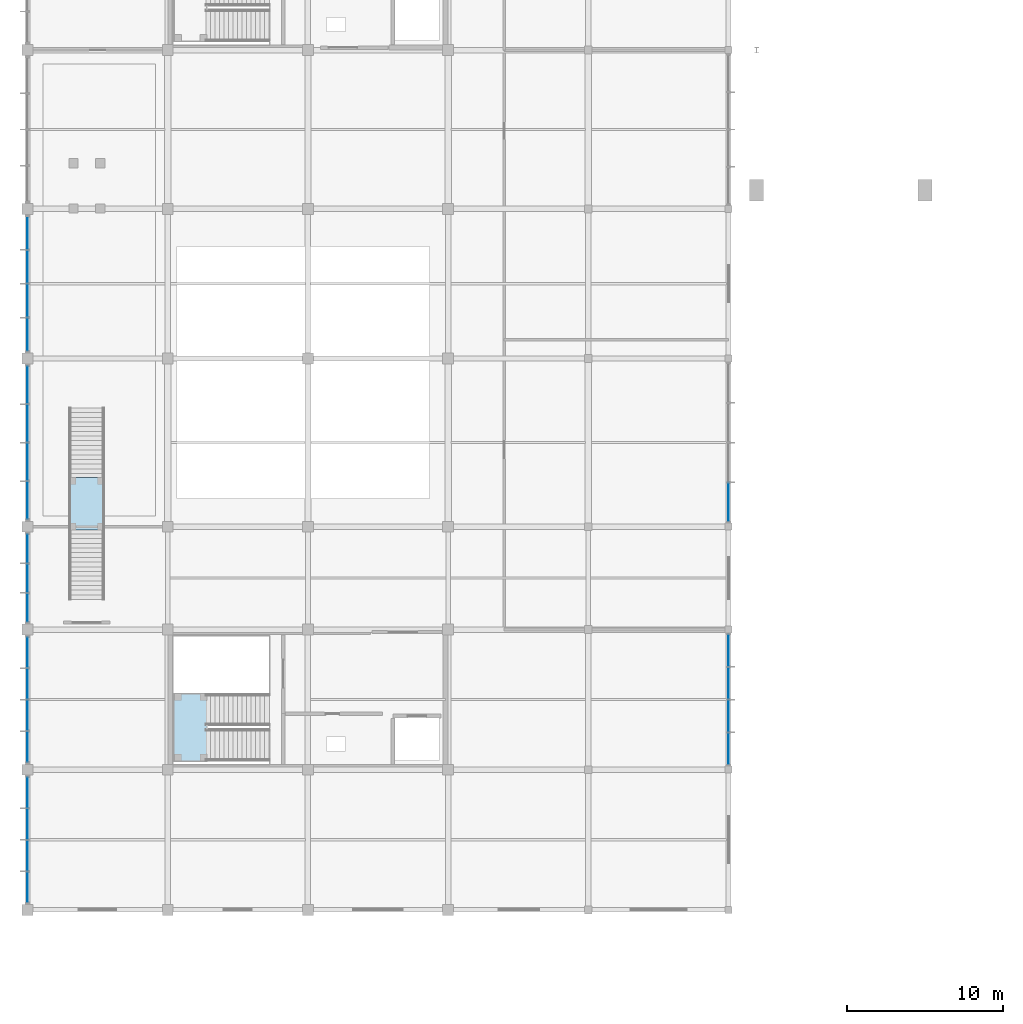
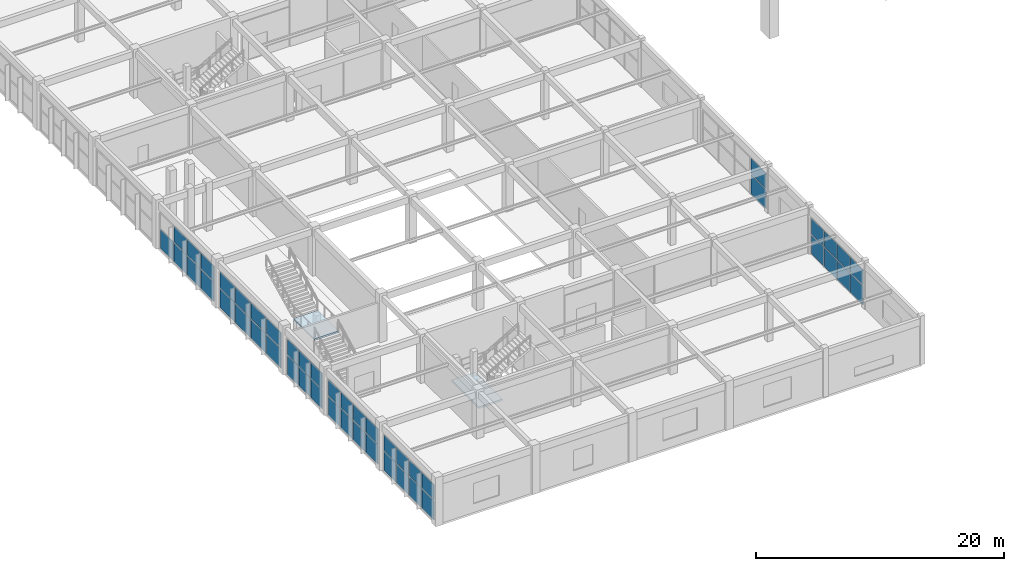
# One storey, part 38 of 74: 47 plates, 2 slabs, 9 elements without a shape of their own.
"""IFC4 building model written with IfcOpenShell, lengths in metres."""

import ifcopenshell
import ifcopenshell.guid

model = None  # the IFC model being written
_history = None  # IfcOwnerHistory: only IFC2X3 demands one
_inside = {}  # id of a spatial element -> (the spatial element, [elements in it])
_under = {}  # id of a project, library or spatial element -> (it, [spatial elements below it])
_declared = {}  # id of a project -> (the project, [libraries it declares])
_typed = {}  # id of a type object -> (the type object, [elements of that type])
_made_of = {}  # id of a material, layer set ... -> (it, [elements and type objects made of it])


def new_model(schema):
    """Start an empty IFC model of exactly this schema.

    Asked for "IFC4X3", IfcOpenShell would pick the latest addendum, in which some entities
    have other attributes; the version numbers below select the first issue.
    IFC2X3 requires an IfcOwnerHistory on every rooted entity: one is made here for all.
    """
    global model, _history
    if schema == "IFC4X3":
        model = ifcopenshell.file(schema_version=(4, 3, 0, 0))
    else:
        model = ifcopenshell.file(schema=schema)
    _inside.clear()
    _under.clear()
    _declared.clear()
    _typed.clear()
    _made_of.clear()
    _history = None
    if model.schema == "IFC2X3":
        org = make("IfcOrganization", Name="unknown")
        user = make(
            "IfcPersonAndOrganization",
            ThePerson=make("IfcPerson", FamilyName="unknown"),
            TheOrganization=org,
        )
        app = make(
            "IfcApplication",
            ApplicationDeveloper=org,
            Version="unknown",
            ApplicationFullName="unknown",
            ApplicationIdentifier="unknown",
        )
        _history = make(
            "IfcOwnerHistory",
            OwningUser=user,
            OwningApplication=app,
            ChangeAction="ADDED",
            CreationDate=0,
        )
    return model


def make(cls, **values):
    """One entity of the class cls with the attributes given. An attribute that is None is left unset."""
    return model.create_entity(
        cls, **{name: value for name, value in values.items() if value is not None}
    )


def rooted(cls, **values):
    """An entity with a GlobalId (a new one), such as an element, a storey or a relation."""
    return make(cls, GlobalId=ifcopenshell.guid.new(), OwnerHistory=_history, **values)


def si_unit(unit_type, name, prefix=None):
    """IfcSIUnit, for example si_unit("LENGTHUNIT", "METRE", prefix="MILLI")."""
    return make("IfcSIUnit", UnitType=unit_type, Prefix=prefix, Name=name)


def assignment(units):
    """IfcUnitAssignment: the units of a project."""
    return None if units is None else make("IfcUnitAssignment", Units=units)


def point(xyz):
    """IfcCartesianPoint."""
    return None if xyz is None else make("IfcCartesianPoint", Coordinates=xyz)


def direction(xyz):
    """IfcDirection."""
    return None if xyz is None else make("IfcDirection", DirectionRatios=xyz)


def frame(location, z_axis=None, x_axis=None):
    """IfcAxis2Placement3D, a coordinate frame: its origin and axes. An axis left out is left unset."""
    return make(
        "IfcAxis2Placement3D",
        Location=point(location),
        Axis=direction(z_axis),
        RefDirection=direction(x_axis),
    )


def origin():
    """The frame at (0, 0, 0) with its axes left unset."""
    return frame((0.0, 0.0, 0.0))


def place(relative_to, where):
    """IfcLocalPlacement: puts the frame where relative to a parent placement (None: the world)."""
    return make(
        "IfcLocalPlacement", PlacementRelTo=relative_to, RelativePlacement=where
    )


def context(
    kind, dimensions, precision=None, world=None, true_north=None, identifier=None
):
    """IfcGeometricRepresentationContext, for example the 3D "Model" context."""
    return make(
        "IfcGeometricRepresentationContext",
        ContextIdentifier=identifier,
        ContextType=kind,
        CoordinateSpaceDimension=dimensions,
        Precision=precision,
        WorldCoordinateSystem=world,
        TrueNorth=true_north,
    )


def subcontext(parent, identifier, kind, view, scale=None):
    """IfcGeometricRepresentationSubContext, for example "Body" below "Model"."""
    return make(
        "IfcGeometricRepresentationSubContext",
        ContextIdentifier=identifier,
        ContextType=kind,
        ParentContext=parent,
        TargetScale=scale,
        TargetView=view,
    )


def project(units=None, contexts=None):
    """IfcProject with its units and contexts."""
    return rooted(
        "IfcProject",
        Name="project",
        RepresentationContexts=contexts,
        UnitsInContext=assignment(units),
    )


def spatial(cls, under=None, at=None, **own):
    """A site, building, storey or space (cls), placed at a placement, below another one or the project."""
    s = rooted(cls, ObjectPlacement=at, **own)
    if under is not None:
        _under.setdefault(under.id(), (under, []))[1].append(s)
    return s


def polyline(points):
    """IfcPolyline through the points."""
    return make("IfcPolyline", Points=[point(p) for p in points])


def outline(outer, holes=None, kind="AREA"):
    """IfcArbitraryClosedProfileDef: a profile drawn as a closed curve; with holes, ...WithVoids."""
    if holes is None:
        return make("IfcArbitraryClosedProfileDef", ProfileType=kind, OuterCurve=outer)
    return make(
        "IfcArbitraryProfileDefWithVoids",
        ProfileType=kind,
        OuterCurve=outer,
        InnerCurves=holes,
    )


def extrude(swept, where, along, depth):
    """IfcExtrudedAreaSolid: the profile swept, set in the frame where, extruded along a direction by depth."""
    return make(
        "IfcExtrudedAreaSolid",
        SweptArea=swept,
        Position=where,
        ExtrudedDirection=direction(along),
        Depth=depth,
    )


def shape(context_of_items, identifier, shape_type, items):
    """IfcShapeRepresentation: the items that make up one representation, for example the "Body"."""
    return make(
        "IfcShapeRepresentation",
        ContextOfItems=context_of_items,
        RepresentationIdentifier=identifier,
        RepresentationType=shape_type,
        Items=items,
    )


def material(Name=None, Category=None):
    """IfcMaterial."""
    return make("IfcMaterial", Name=Name, Category=Category)


def layer(
    of_material, thickness, ventilated=None, Name=None, Category=None, Priority=None
):
    """IfcMaterialLayer: one layer of a wall or slab, of a material (None: an air gap)."""
    return make(
        "IfcMaterialLayer",
        Material=of_material,
        LayerThickness=thickness,
        IsVentilated=ventilated,
        Name=Name,
        Category=Category,
        Priority=Priority,
    )


def layer_set(layers, Name=None):
    """IfcMaterialLayerSet."""
    return make("IfcMaterialLayerSet", MaterialLayers=layers, LayerSetName=Name)


def made_of(thing, what):
    """Note that an element or type object is made of a material, layer set ...; save() writes the relation."""
    if what is not None:
        _made_of.setdefault(what.id(), (what, []))[1].append(thing)
    return thing


def type_object(cls, material=None, **own):
    """A type object (cls), such as IfcWallType, which elements share."""
    return made_of(rooted(cls, **own), material)


def element(
    cls,
    number,
    at=None,
    inside=None,
    cuts=None,
    type_object=None,
    material=None,
    context=None,
    identifier="Body",
    shape_type=None,
    held_by="IfcProductDefinitionShape",
    body=None,
    shapes=None,
    **own,
):
    """One element of the class cls, such as IfcWall. Its Tag is "e" and its number.

    at: its placement. inside: the storey or other place that contains it. cuts: it is an
    opening in that element (IfcRelVoidsElement). A single representation is given by context,
    identifier, shape_type and body (its items); several are given by shapes. held_by: the class
    of the entity that holds the representations. save() writes the other relations.
    """
    e = rooted(cls, Tag="e%d" % number, ObjectPlacement=at, **own)
    if body is not None:
        shapes = [shape(context, identifier, shape_type, body)]
    if shapes is not None:
        e.Representation = make(held_by, Representations=shapes)
    if inside is not None:
        _inside.setdefault(inside.id(), (inside, []))[1].append(e)
    if cuts is not None:
        rooted(
            "IfcRelVoidsElement", RelatingBuildingElement=cuts, RelatedOpeningElement=e
        )
    if type_object is not None:
        _typed.setdefault(type_object.id(), (type_object, []))[1].append(e)
    return made_of(e, material)


def aggregate(whole, parts):
    """IfcRelAggregates: a whole, such as a stair, and the parts it consists of."""
    return rooted("IfcRelAggregates", RelatingObject=whole, RelatedObjects=parts)


def save(model, path):
    """Write the relations noted so far, then the file.

    IfcRelAggregates (storeys below a building ...), IfcRelContainedInSpatialStructure (elements
    in a storey), IfcRelDefinesByType, IfcRelAssociatesMaterial and IfcRelDeclares: one each for
    every whole, place, type object, material and project.
    """
    for whole, parts in _under.values():
        aggregate(whole, parts)
    for where, things in _inside.values():
        rooted(
            "IfcRelContainedInSpatialStructure",
            RelatedElements=things,
            RelatingStructure=where,
        )
    for kind, things in _typed.values():
        rooted("IfcRelDefinesByType", RelatedObjects=things, RelatingType=kind)
    for what, things in _made_of.values():
        rooted("IfcRelAssociatesMaterial", RelatedObjects=things, RelatingMaterial=what)
    for by, libraries in _declared.values():
        rooted("IfcRelDeclares", RelatingContext=by, RelatedDefinitions=libraries)
    model.write(path)


model = new_model("IFC4")

# Units and contexts
model_context = context("Model", 3, precision=1e-05, world=origin(), true_north=direction((0.0, 1.0)))
body_context = subcontext(model_context, "Body", "Model", "MODEL_VIEW")
ifc_project = project(units=[si_unit("LENGTHUNIT", "METRE"), si_unit("AREAUNIT", "SQUARE_METRE"), si_unit("VOLUMEUNIT", "CUBIC_METRE"), si_unit("PLANEANGLEUNIT", "RADIAN"), si_unit("MASSUNIT", "GRAM", prefix="KILO")], contexts=[model_context])

# Site, building, storey
site_placement = place(None, origin())
site = spatial("IfcSite", under=ifc_project, at=site_placement, CompositionType="ELEMENT")
building_placement = place(site_placement, origin())
building = spatial("IfcBuilding", under=site, at=building_placement, Name="Suirenkawa Promenade Aquatics Centre", CompositionType="ELEMENT")
storey_placement = place(building_placement, frame((0.0, 0.0, 4.800048828125)))
storey = spatial("IfcBuildingStorey", under=building, at=storey_placement, Name="L01", CompositionType="ELEMENT", Elevation=4.800048828125)

# Curtain wall, plates
ifc_material_1 = material(Name="Anodised aluminium 6063-T6", Category="aluminium")
curtain_wall_type_1 = type_object("IfcCurtainWallType", Name="CWAT-V5EL01-50", PredefinedType="NOTDEFINED", material=ifc_material_1)
curtain_wall_1_placement = place(storey_placement, origin())
curtain_wall_1 = element("IfcCurtainWall", 1, at=curtain_wall_1_placement, inside=storey, type_object=curtain_wall_type_1, Name="Curtain wall CWA-50 CW-097", PredefinedType="NOTDEFINED")
ifc_material_2 = material(Name="Low-E thermally broken double glazing", Category="glass")
ifc_layer_1 = layer(ifc_material_2, 0.028076171875, Name="Low-E thermally broken double glazing", Category="glass")
ifc_layer_set_1 = layer_set([ifc_layer_1], Name="Low-E thermally broken double glazing")
plate_type_1 = type_object("IfcPlateType", Name="CWP-LOWE-28", PredefinedType="CURTAIN_PANEL", material=ifc_layer_set_1)
plate_1_placement = place(storey_placement, frame((45.0, 21.90087890625, 0.0400390625), z_axis=(0.0, 0.0, 1.0), x_axis=(0.0, -1.0, 0.0)))
plate_1 = element("IfcPlate", 2, at=plate_1_placement, type_object=plate_type_1, Name="Glazed panel CP-02 CWP-01942", PredefinedType="CURTAIN_PANEL", context=body_context, shape_type="SweptSolid", body=[
    extrude(outline(polyline([(0.0400390625, 0.0), (2.060546875, 0.0), (2.060546875, 1.869873046875), (0.0400390625, 1.869873046875), (0.0400390625, 0.0)])), frame((0.0, 0.01416015625, 0.0), z_axis=(0.0, -1.0, 0.0), x_axis=(1.0, 0.0, 0.0)), (0.0, 0.0, 1.0), 0.028076171875),
])
plate_2_placement = place(storey_placement, frame((45.0, 21.90087890625, 1.989990234375), z_axis=(0.0, 0.0, 1.0), x_axis=(0.0, -1.0, 0.0)))
plate_2 = element("IfcPlate", 3, at=plate_2_placement, type_object=plate_type_1, Name="Top glazed panel CP-02 CWP-01943", PredefinedType="CURTAIN_PANEL", context=body_context, shape_type="SweptSolid", body=[
    extrude(outline(polyline([(0.0400390625, 0.0), (2.060546875, 0.0), (2.060546875, 1.5400390625), (0.0400390625, 1.5400390625), (0.0400390625, 0.0)])), frame((0.0, 0.01416015625, 0.0), z_axis=(0.0, -1.0, 0.0), x_axis=(1.0, 0.0, 0.0)), (0.0, 0.0, 1.0), 0.028076171875),
])
plate_3_placement = place(storey_placement, frame((45.0, 19.800537109375, 0.0400390625), z_axis=(0.0, 0.0, 1.0), x_axis=(0.0, -1.0, 0.0)))
plate_3 = element("IfcPlate", 4, at=plate_3_placement, type_object=plate_type_1, Name="Glazed panel CP-02 CWP-01944", PredefinedType="CURTAIN_PANEL", context=body_context, shape_type="SweptSolid", body=[
    extrude(outline(polyline([(0.0400390625, 0.0), (2.060546875, 0.0), (2.060546875, 1.869873046875), (0.0400390625, 1.869873046875), (0.0400390625, 0.0)])), frame((0.0, 0.01416015625, 0.0), z_axis=(0.0, -1.0, 0.0), x_axis=(1.0, 0.0, 0.0)), (0.0, 0.0, 1.0), 0.028076171875),
])
plate_4_placement = place(storey_placement, frame((45.0, 19.800537109375, 1.989990234375), z_axis=(0.0, 0.0, 1.0), x_axis=(0.0, -1.0, 0.0)))
plate_4 = element("IfcPlate", 5, at=plate_4_placement, type_object=plate_type_1, Name="Top glazed panel CP-02 CWP-01945", PredefinedType="CURTAIN_PANEL", context=body_context, shape_type="SweptSolid", body=[
    extrude(outline(polyline([(0.0400390625, 0.0), (2.060546875, 0.0), (2.060546875, 1.5400390625), (0.0400390625, 1.5400390625), (0.0400390625, 0.0)])), frame((0.0, 0.01416015625, 0.0), z_axis=(0.0, -1.0, 0.0), x_axis=(1.0, 0.0, 0.0)), (0.0, 0.0, 1.0), 0.028076171875),
])
plate_5_placement = place(storey_placement, frame((45.0, 17.699951171875, 0.0400390625), z_axis=(0.0, 0.0, 1.0), x_axis=(0.0, -1.0, 0.0)))
plate_5 = element("IfcPlate", 6, at=plate_5_placement, type_object=plate_type_1, Name="Glazed panel CP-02 CWP-01946", PredefinedType="CURTAIN_PANEL", context=body_context, shape_type="SweptSolid", body=[
    extrude(outline(polyline([(0.0400390625, 0.0), (2.060546875, 0.0), (2.060546875, 1.869873046875), (0.0400390625, 1.869873046875), (0.0400390625, 0.0)])), frame((0.0, 0.01416015625, 0.0), z_axis=(0.0, -1.0, 0.0), x_axis=(1.0, 0.0, 0.0)), (0.0, 0.0, 1.0), 0.028076171875),
])
plate_6_placement = place(storey_placement, frame((45.0, 17.699951171875, 1.989990234375), z_axis=(0.0, 0.0, 1.0), x_axis=(0.0, -1.0, 0.0)))
plate_6 = element("IfcPlate", 7, at=plate_6_placement, type_object=plate_type_1, Name="Top glazed panel CP-02 CWP-01947", PredefinedType="CURTAIN_PANEL", context=body_context, shape_type="SweptSolid", body=[
    extrude(outline(polyline([(0.0400390625, 0.0), (2.060546875, 0.0), (2.060546875, 1.5400390625), (0.0400390625, 1.5400390625), (0.0400390625, 0.0)])), frame((0.0, 0.01416015625, 0.0), z_axis=(0.0, -1.0, 0.0), x_axis=(1.0, 0.0, 0.0)), (0.0, 0.0, 1.0), 0.028076171875),
])
plate_7_placement = place(storey_placement, frame((45.0, 15.599609375, 0.0400390625), z_axis=(0.0, 0.0, 1.0), x_axis=(0.0, -1.0, 0.0)))
plate_7 = element("IfcPlate", 8, at=plate_7_placement, type_object=plate_type_1, Name="Glazed panel CP-02 CWP-01948", PredefinedType="CURTAIN_PANEL", context=body_context, shape_type="SweptSolid", body=[
    extrude(outline(polyline([(0.0400390625, 0.0), (2.060546875, 0.0), (2.060546875, 1.869873046875), (0.0400390625, 1.869873046875), (0.0400390625, 0.0)])), frame((0.0, 0.01416015625, 0.0), z_axis=(0.0, -1.0, 0.0), x_axis=(1.0, 0.0, 0.0)), (0.0, 0.0, 1.0), 0.028076171875),
])
plate_8_placement = place(storey_placement, frame((45.0, 15.599609375, 1.989990234375), z_axis=(0.0, 0.0, 1.0), x_axis=(0.0, -1.0, 0.0)))
plate_8 = element("IfcPlate", 9, at=plate_8_placement, type_object=plate_type_1, Name="Top glazed panel CP-02 CWP-01949", PredefinedType="CURTAIN_PANEL", context=body_context, shape_type="SweptSolid", body=[
    extrude(outline(polyline([(0.0400390625, 0.0), (2.060546875, 0.0), (2.060546875, 1.5400390625), (0.0400390625, 1.5400390625), (0.0400390625, 0.0)])), frame((0.0, 0.01416015625, 0.0), z_axis=(0.0, -1.0, 0.0), x_axis=(1.0, 0.0, 0.0)), (0.0, 0.0, 1.0), 0.028076171875),
])
aggregate(curtain_wall_1, [plate_1, plate_2, plate_3, plate_4, plate_5, plate_6, plate_7, plate_8])

curtain_wall_type_2 = type_object("IfcCurtainWallType", Name="CWAT-V5EL01-53", PredefinedType="NOTDEFINED", material=ifc_material_1)
curtain_wall_2_placement = place(storey_placement, origin())
curtain_wall_2 = element("IfcCurtainWall", 10, at=curtain_wall_2_placement, inside=storey, type_object=curtain_wall_type_2, Name="Curtain wall CWA-53 CW-100", PredefinedType="NOTDEFINED")
plate_9_placement = place(storey_placement, frame((45.0, 31.6494140625, 0.0400390625), z_axis=(0.0, 0.0, 1.0), x_axis=(0.0, -1.0, 0.0)))
plate_9 = element("IfcPlate", 11, at=plate_9_placement, type_object=plate_type_1, Name="Glazed panel CP-02 CWP-02009", PredefinedType="CURTAIN_PANEL", context=body_context, shape_type="SweptSolid", body=[
    extrude(outline(polyline([(0.0400390625, 0.0), (2.510498046875, 0.0), (2.510498046875, 1.869873046875), (0.0400390625, 1.869873046875), (0.0400390625, 0.0)])), frame((0.0, 0.01416015625, 0.0), z_axis=(0.0, -1.0, 0.0), x_axis=(1.0, 0.0, 0.0)), (0.0, 0.0, 1.0), 0.028076171875),
])
plate_10_placement = place(storey_placement, frame((45.0, 31.6494140625, 1.989990234375), z_axis=(0.0, 0.0, 1.0), x_axis=(0.0, -1.0, 0.0)))
plate_10 = element("IfcPlate", 12, at=plate_10_placement, type_object=plate_type_1, Name="Top glazed panel CP-02 CWP-02010", PredefinedType="CURTAIN_PANEL", context=body_context, shape_type="SweptSolid", body=[
    extrude(outline(polyline([(0.0400390625, 0.0), (2.510498046875, 0.0), (2.510498046875, 1.5400390625), (0.0400390625, 1.5400390625), (0.0400390625, 0.0)])), frame((0.0, 0.01416015625, 0.0), z_axis=(0.0, -1.0, 0.0), x_axis=(1.0, 0.0, 0.0)), (0.0, 0.0, 1.0), 0.028076171875),
])
aggregate(curtain_wall_2, [plate_9, plate_10])

curtain_wall_type_3 = type_object("IfcCurtainWallType", Name="CWAT-V5WL01-49", PredefinedType="NOTDEFINED", material=ifc_material_1)
curtain_wall_3_placement = place(storey_placement, origin())
curtain_wall_3 = element("IfcCurtainWall", 13, at=curtain_wall_3_placement, inside=storey, type_object=curtain_wall_type_3, Name="Curtain wall CWA-49 CW-095", PredefinedType="NOTDEFINED")
ifc_material_3 = material(Name="Ceramic-fritted low-SHGC double glazing", Category="glass")
ifc_layer_2 = layer(ifc_material_3, 0.035888671875, Name="Ceramic-fritted low-SHGC double glazing", Category="glass")
ifc_layer_set_2 = layer_set([ifc_layer_2], Name="Ceramic-fritted low-SHGC double glazing")
plate_type_2 = type_object("IfcPlateType", Name="CWP-SHOJI-36", PredefinedType="CURTAIN_PANEL", material=ifc_layer_set_2)
plate_11_placement = place(storey_placement, frame((0.0, 4.64892578125, 0.0400390625), z_axis=(0.0, 0.0, 1.0), x_axis=(0.0, 1.0, 0.0)))
plate_11 = element("IfcPlate", 14, at=plate_11_placement, type_object=plate_type_2, Name="Glazed panel CP-01 CWP-01898", PredefinedType="CURTAIN_PANEL", context=body_context, shape_type="SweptSolid", body=[
    extrude(outline(polyline([(0.0400390625, 0.0), (1.985595703125, 0.0), (1.985595703125, 1.869873046875), (0.0400390625, 1.869873046875), (0.0400390625, 0.0)])), frame((0.0, 0.01806640625, 0.0), z_axis=(0.0, -1.0, 0.0), x_axis=(1.0, 0.0, 0.0)), (0.0, 0.0, 1.0), 0.035888671875),
])
plate_12_placement = place(storey_placement, frame((0.0, 4.64892578125, 1.989990234375), z_axis=(0.0, 0.0, 1.0), x_axis=(0.0, 1.0, 0.0)))
plate_12 = element("IfcPlate", 15, at=plate_12_placement, type_object=plate_type_2, Name="Top glazed panel CP-01 CWP-01899", PredefinedType="CURTAIN_PANEL", context=body_context, shape_type="SweptSolid", body=[
    extrude(outline(polyline([(0.0400390625, 0.0), (1.985595703125, 0.0), (1.985595703125, 1.5400390625), (0.0400390625, 1.5400390625), (0.0400390625, 0.0)])), frame((0.0, 0.01806640625, 0.0), z_axis=(0.0, -1.0, 0.0), x_axis=(1.0, 0.0, 0.0)), (0.0, 0.0, 1.0), 0.035888671875),
])
plate_13_placement = place(storey_placement, frame((0.0, 6.674560546875, 0.0400390625), z_axis=(0.0, 0.0, 1.0), x_axis=(0.0, 1.0, 0.0)))
plate_13 = element("IfcPlate", 16, at=plate_13_placement, type_object=plate_type_2, Name="Glazed panel CP-01 CWP-01900", PredefinedType="CURTAIN_PANEL", context=body_context, shape_type="SweptSolid", body=[
    extrude(outline(polyline([(0.0400390625, 0.0), (1.985595703125, 0.0), (1.985595703125, 1.869873046875), (0.0400390625, 1.869873046875), (0.0400390625, 0.0)])), frame((0.0, 0.01806640625, 0.0), z_axis=(0.0, -1.0, 0.0), x_axis=(1.0, 0.0, 0.0)), (0.0, 0.0, 1.0), 0.035888671875),
])
plate_14_placement = place(storey_placement, frame((0.0, 6.674560546875, 1.989990234375), z_axis=(0.0, 0.0, 1.0), x_axis=(0.0, 1.0, 0.0)))
plate_14 = element("IfcPlate", 17, at=plate_14_placement, type_object=plate_type_2, Name="Top glazed panel CP-01 CWP-01901", PredefinedType="CURTAIN_PANEL", context=body_context, shape_type="SweptSolid", body=[
    extrude(outline(polyline([(0.0400390625, 0.0), (1.985595703125, 0.0), (1.985595703125, 1.5400390625), (0.0400390625, 1.5400390625), (0.0400390625, 0.0)])), frame((0.0, 0.01806640625, 0.0), z_axis=(0.0, -1.0, 0.0), x_axis=(1.0, 0.0, 0.0)), (0.0, 0.0, 1.0), 0.035888671875),
])
plate_15_placement = place(storey_placement, frame((0.0, 8.699951171875, 0.0400390625), z_axis=(0.0, 0.0, 1.0), x_axis=(0.0, 1.0, 0.0)))
plate_15 = element("IfcPlate", 18, at=plate_15_placement, type_object=plate_type_2, Name="Glazed panel CP-01 CWP-01902", PredefinedType="CURTAIN_PANEL", context=body_context, shape_type="SweptSolid", body=[
    extrude(outline(polyline([(0.0400390625, 0.0), (1.985595703125, 0.0), (1.985595703125, 1.869873046875), (0.0400390625, 1.869873046875), (0.0400390625, 0.0)])), frame((0.0, 0.01806640625, 0.0), z_axis=(0.0, -1.0, 0.0), x_axis=(1.0, 0.0, 0.0)), (0.0, 0.0, 1.0), 0.035888671875),
])
plate_16_placement = place(storey_placement, frame((0.0, 8.699951171875, 1.989990234375), z_axis=(0.0, 0.0, 1.0), x_axis=(0.0, 1.0, 0.0)))
plate_16 = element("IfcPlate", 19, at=plate_16_placement, type_object=plate_type_2, Name="Top glazed panel CP-01 CWP-01903", PredefinedType="CURTAIN_PANEL", context=body_context, shape_type="SweptSolid", body=[
    extrude(outline(polyline([(0.0400390625, 0.0), (1.985595703125, 0.0), (1.985595703125, 1.5400390625), (0.0400390625, 1.5400390625), (0.0400390625, 0.0)])), frame((0.0, 0.01806640625, 0.0), z_axis=(0.0, -1.0, 0.0), x_axis=(1.0, 0.0, 0.0)), (0.0, 0.0, 1.0), 0.035888671875),
])
plate_17_placement = place(storey_placement, frame((0.0, 10.7255859375, 0.0400390625), z_axis=(0.0, 0.0, 1.0), x_axis=(0.0, 1.0, 0.0)))
plate_17 = element("IfcPlate", 20, at=plate_17_placement, type_object=plate_type_2, Name="Glazed panel CP-01 CWP-01904", PredefinedType="CURTAIN_PANEL", context=body_context, shape_type="SweptSolid", body=[
    extrude(outline(polyline([(0.0400390625, 0.0), (1.985595703125, 0.0), (1.985595703125, 1.869873046875), (0.0400390625, 1.869873046875), (0.0400390625, 0.0)])), frame((0.0, 0.01806640625, 0.0), z_axis=(0.0, -1.0, 0.0), x_axis=(1.0, 0.0, 0.0)), (0.0, 0.0, 1.0), 0.035888671875),
])
plate_18_placement = place(storey_placement, frame((0.0, 10.7255859375, 1.989990234375), z_axis=(0.0, 0.0, 1.0), x_axis=(0.0, 1.0, 0.0)))
plate_18 = element("IfcPlate", 21, at=plate_18_placement, type_object=plate_type_2, Name="Top glazed panel CP-01 CWP-01905", PredefinedType="CURTAIN_PANEL", context=body_context, shape_type="SweptSolid", body=[
    extrude(outline(polyline([(0.0400390625, 0.0), (1.985595703125, 0.0), (1.985595703125, 1.5400390625), (0.0400390625, 1.5400390625), (0.0400390625, 0.0)])), frame((0.0, 0.01806640625, 0.0), z_axis=(0.0, -1.0, 0.0), x_axis=(1.0, 0.0, 0.0)), (0.0, 0.0, 1.0), 0.035888671875),
])
aggregate(curtain_wall_3, [plate_11, plate_12, plate_13, plate_14, plate_15, plate_16, plate_17, plate_18])

curtain_wall_4_placement = place(storey_placement, origin())
curtain_wall_4 = element("IfcCurtainWall", 22, at=curtain_wall_4_placement, inside=storey, type_object=curtain_wall_type_3, Name="Curtain wall CWA-49 CW-096", PredefinedType="NOTDEFINED")
plate_19_placement = place(storey_placement, frame((0.0, 13.64892578125, 0.0400390625), z_axis=(0.0, 0.0, 1.0), x_axis=(0.0, 1.0, 0.0)))
plate_19 = element("IfcPlate", 23, at=plate_19_placement, type_object=plate_type_2, Name="Glazed panel CP-01 CWP-01920", PredefinedType="CURTAIN_PANEL", context=body_context, shape_type="SweptSolid", body=[
    extrude(outline(polyline([(0.0400390625, 0.0), (1.985595703125, 0.0), (1.985595703125, 1.869873046875), (0.0400390625, 1.869873046875), (0.0400390625, 0.0)])), frame((0.0, 0.01806640625, 0.0), z_axis=(0.0, -1.0, 0.0), x_axis=(1.0, 0.0, 0.0)), (0.0, 0.0, 1.0), 0.035888671875),
])
plate_20_placement = place(storey_placement, frame((0.0, 13.64892578125, 1.989990234375), z_axis=(0.0, 0.0, 1.0), x_axis=(0.0, 1.0, 0.0)))
plate_20 = element("IfcPlate", 24, at=plate_20_placement, type_object=plate_type_2, Name="Top glazed panel CP-01 CWP-01921", PredefinedType="CURTAIN_PANEL", context=body_context, shape_type="SweptSolid", body=[
    extrude(outline(polyline([(0.0400390625, 0.0), (1.985595703125, 0.0), (1.985595703125, 1.5400390625), (0.0400390625, 1.5400390625), (0.0400390625, 0.0)])), frame((0.0, 0.01806640625, 0.0), z_axis=(0.0, -1.0, 0.0), x_axis=(1.0, 0.0, 0.0)), (0.0, 0.0, 1.0), 0.035888671875),
])
plate_21_placement = place(storey_placement, frame((0.0, 15.674560546875, 0.0400390625), z_axis=(0.0, 0.0, 1.0), x_axis=(0.0, 1.0, 0.0)))
plate_21 = element("IfcPlate", 25, at=plate_21_placement, type_object=plate_type_2, Name="Glazed panel CP-01 CWP-01922", PredefinedType="CURTAIN_PANEL", context=body_context, shape_type="SweptSolid", body=[
    extrude(outline(polyline([(0.0400390625, 0.0), (1.985595703125, 0.0), (1.985595703125, 1.869873046875), (0.0400390625, 1.869873046875), (0.0400390625, 0.0)])), frame((0.0, 0.01806640625, 0.0), z_axis=(0.0, -1.0, 0.0), x_axis=(1.0, 0.0, 0.0)), (0.0, 0.0, 1.0), 0.035888671875),
])
plate_22_placement = place(storey_placement, frame((0.0, 15.674560546875, 1.989990234375), z_axis=(0.0, 0.0, 1.0), x_axis=(0.0, 1.0, 0.0)))
plate_22 = element("IfcPlate", 26, at=plate_22_placement, type_object=plate_type_2, Name="Top glazed panel CP-01 CWP-01923", PredefinedType="CURTAIN_PANEL", context=body_context, shape_type="SweptSolid", body=[
    extrude(outline(polyline([(0.0400390625, 0.0), (1.985595703125, 0.0), (1.985595703125, 1.5400390625), (0.0400390625, 1.5400390625), (0.0400390625, 0.0)])), frame((0.0, 0.01806640625, 0.0), z_axis=(0.0, -1.0, 0.0), x_axis=(1.0, 0.0, 0.0)), (0.0, 0.0, 1.0), 0.035888671875),
])
plate_23_placement = place(storey_placement, frame((0.0, 17.699951171875, 0.0400390625), z_axis=(0.0, 0.0, 1.0), x_axis=(0.0, 1.0, 0.0)))
plate_23 = element("IfcPlate", 27, at=plate_23_placement, type_object=plate_type_2, Name="Glazed panel CP-01 CWP-01924", PredefinedType="CURTAIN_PANEL", context=body_context, shape_type="SweptSolid", body=[
    extrude(outline(polyline([(0.0400390625, 0.0), (1.985595703125, 0.0), (1.985595703125, 1.869873046875), (0.0400390625, 1.869873046875), (0.0400390625, 0.0)])), frame((0.0, 0.01806640625, 0.0), z_axis=(0.0, -1.0, 0.0), x_axis=(1.0, 0.0, 0.0)), (0.0, 0.0, 1.0), 0.035888671875),
])
plate_24_placement = place(storey_placement, frame((0.0, 17.699951171875, 1.989990234375), z_axis=(0.0, 0.0, 1.0), x_axis=(0.0, 1.0, 0.0)))
plate_24 = element("IfcPlate", 28, at=plate_24_placement, type_object=plate_type_2, Name="Top glazed panel CP-01 CWP-01925", PredefinedType="CURTAIN_PANEL", context=body_context, shape_type="SweptSolid", body=[
    extrude(outline(polyline([(0.0400390625, 0.0), (1.985595703125, 0.0), (1.985595703125, 1.5400390625), (0.0400390625, 1.5400390625), (0.0400390625, 0.0)])), frame((0.0, 0.01806640625, 0.0), z_axis=(0.0, -1.0, 0.0), x_axis=(1.0, 0.0, 0.0)), (0.0, 0.0, 1.0), 0.035888671875),
])
plate_25_placement = place(storey_placement, frame((0.0, 19.7255859375, 0.0400390625), z_axis=(0.0, 0.0, 1.0), x_axis=(0.0, 1.0, 0.0)))
plate_25 = element("IfcPlate", 29, at=plate_25_placement, type_object=plate_type_2, Name="Glazed panel CP-01 CWP-01926", PredefinedType="CURTAIN_PANEL", context=body_context, shape_type="SweptSolid", body=[
    extrude(outline(polyline([(0.0400390625, 0.0), (1.985595703125, 0.0), (1.985595703125, 1.869873046875), (0.0400390625, 1.869873046875), (0.0400390625, 0.0)])), frame((0.0, 0.01806640625, 0.0), z_axis=(0.0, -1.0, 0.0), x_axis=(1.0, 0.0, 0.0)), (0.0, 0.0, 1.0), 0.035888671875),
])
plate_26_placement = place(storey_placement, frame((0.0, 19.7255859375, 1.989990234375), z_axis=(0.0, 0.0, 1.0), x_axis=(0.0, 1.0, 0.0)))
plate_26 = element("IfcPlate", 30, at=plate_26_placement, type_object=plate_type_2, Name="Top glazed panel CP-01 CWP-01927", PredefinedType="CURTAIN_PANEL", context=body_context, shape_type="SweptSolid", body=[
    extrude(outline(polyline([(0.0400390625, 0.0), (1.985595703125, 0.0), (1.985595703125, 1.5400390625), (0.0400390625, 1.5400390625), (0.0400390625, 0.0)])), frame((0.0, 0.01806640625, 0.0), z_axis=(0.0, -1.0, 0.0), x_axis=(1.0, 0.0, 0.0)), (0.0, 0.0, 1.0), 0.035888671875),
])
aggregate(curtain_wall_4, [plate_19, plate_20, plate_21, plate_22, plate_23, plate_24, plate_25, plate_26])

curtain_wall_type_4 = type_object("IfcCurtainWallType", Name="CWAT-V5WL01-51", PredefinedType="NOTDEFINED", material=ifc_material_1)
curtain_wall_5_placement = place(storey_placement, origin())
curtain_wall_5 = element("IfcCurtainWall", 31, at=curtain_wall_5_placement, inside=storey, type_object=curtain_wall_type_4, Name="Curtain wall CWA-51 CW-098", PredefinedType="NOTDEFINED")
plate_27_placement = place(storey_placement, frame((0.0, 22.64892578125, 0.0400390625), z_axis=(0.0, 0.0, 1.0), x_axis=(0.0, 1.0, 0.0)))
plate_27 = element("IfcPlate", 32, at=plate_27_placement, type_object=plate_type_2, Name="Glazed panel CP-01 CWP-01961", PredefinedType="CURTAIN_PANEL", context=body_context, shape_type="SweptSolid", body=[
    extrude(outline(polyline([(0.0400390625, 0.0), (1.860595703125, 0.0), (1.860595703125, 1.869873046875), (0.0400390625, 1.869873046875), (0.0400390625, 0.0)])), frame((0.0, 0.01806640625, 0.0), z_axis=(0.0, -1.0, 0.0), x_axis=(1.0, 0.0, 0.0)), (0.0, 0.0, 1.0), 0.035888671875),
])
plate_28_placement = place(storey_placement, frame((0.0, 22.64892578125, 1.989990234375), z_axis=(0.0, 0.0, 1.0), x_axis=(0.0, 1.0, 0.0)))
plate_28 = element("IfcPlate", 33, at=plate_28_placement, type_object=plate_type_2, Name="Top glazed panel CP-01 CWP-01962", PredefinedType="CURTAIN_PANEL", context=body_context, shape_type="SweptSolid", body=[
    extrude(outline(polyline([(0.0400390625, 0.0), (1.860595703125, 0.0), (1.860595703125, 1.5400390625), (0.0400390625, 1.5400390625), (0.0400390625, 0.0)])), frame((0.0, 0.01806640625, 0.0), z_axis=(0.0, -1.0, 0.0), x_axis=(1.0, 0.0, 0.0)), (0.0, 0.0, 1.0), 0.035888671875),
])
plate_29_placement = place(storey_placement, frame((0.0, 24.549560546875, 0.0400390625), z_axis=(0.0, 0.0, 1.0), x_axis=(0.0, 1.0, 0.0)))
plate_29 = element("IfcPlate", 34, at=plate_29_placement, type_object=plate_type_2, Name="Glazed panel CP-01 CWP-01963", PredefinedType="CURTAIN_PANEL", context=body_context, shape_type="SweptSolid", body=[
    extrude(outline(polyline([(0.0400390625, 0.0), (1.860595703125, 0.0), (1.860595703125, 1.869873046875), (0.0400390625, 1.869873046875), (0.0400390625, 0.0)])), frame((0.0, 0.01806640625, 0.0), z_axis=(0.0, -1.0, 0.0), x_axis=(1.0, 0.0, 0.0)), (0.0, 0.0, 1.0), 0.035888671875),
])
plate_30_placement = place(storey_placement, frame((0.0, 24.549560546875, 1.989990234375), z_axis=(0.0, 0.0, 1.0), x_axis=(0.0, 1.0, 0.0)))
plate_30 = element("IfcPlate", 35, at=plate_30_placement, type_object=plate_type_2, Name="Top glazed panel CP-01 CWP-01964", PredefinedType="CURTAIN_PANEL", context=body_context, shape_type="SweptSolid", body=[
    extrude(outline(polyline([(0.0400390625, 0.0), (1.860595703125, 0.0), (1.860595703125, 1.5400390625), (0.0400390625, 1.5400390625), (0.0400390625, 0.0)])), frame((0.0, 0.01806640625, 0.0), z_axis=(0.0, -1.0, 0.0), x_axis=(1.0, 0.0, 0.0)), (0.0, 0.0, 1.0), 0.035888671875),
])
plate_31_placement = place(storey_placement, frame((0.0, 26.450439453125, 0.0400390625), z_axis=(0.0, 0.0, 1.0), x_axis=(0.0, 1.0, 0.0)))
plate_31 = element("IfcPlate", 36, at=plate_31_placement, type_object=plate_type_2, Name="Glazed panel CP-01 CWP-01965", PredefinedType="CURTAIN_PANEL", context=body_context, shape_type="SweptSolid", body=[
    extrude(outline(polyline([(0.0400390625, 0.0), (1.860595703125, 0.0), (1.860595703125, 1.869873046875), (0.0400390625, 1.869873046875), (0.0400390625, 0.0)])), frame((0.0, 0.01806640625, 0.0), z_axis=(0.0, -1.0, 0.0), x_axis=(1.0, 0.0, 0.0)), (0.0, 0.0, 1.0), 0.035888671875),
])
plate_32_placement = place(storey_placement, frame((0.0, 26.450439453125, 1.989990234375), z_axis=(0.0, 0.0, 1.0), x_axis=(0.0, 1.0, 0.0)))
plate_32 = element("IfcPlate", 37, at=plate_32_placement, type_object=plate_type_2, Name="Top glazed panel CP-01 CWP-01966", PredefinedType="CURTAIN_PANEL", context=body_context, shape_type="SweptSolid", body=[
    extrude(outline(polyline([(0.0400390625, 0.0), (1.860595703125, 0.0), (1.860595703125, 1.5400390625), (0.0400390625, 1.5400390625), (0.0400390625, 0.0)])), frame((0.0, 0.01806640625, 0.0), z_axis=(0.0, -1.0, 0.0), x_axis=(1.0, 0.0, 0.0)), (0.0, 0.0, 1.0), 0.035888671875),
])
aggregate(curtain_wall_5, [plate_27, plate_28, plate_29, plate_30, plate_31, plate_32])

curtain_wall_type_5 = type_object("IfcCurtainWallType", Name="CWAT-V5WL01-52", PredefinedType="NOTDEFINED", material=ifc_material_1)
curtain_wall_6_placement = place(storey_placement, origin())
curtain_wall_6 = element("IfcCurtainWall", 38, at=curtain_wall_6_placement, inside=storey, type_object=curtain_wall_type_5, Name="Curtain wall CWA-52 CW-099", PredefinedType="NOTDEFINED")
plate_33_placement = place(storey_placement, frame((0.0, 29.2490234375, 0.0400390625), z_axis=(0.0, 0.0, 1.0), x_axis=(0.0, 1.0, 0.0)))
plate_33 = element("IfcPlate", 39, at=plate_33_placement, type_object=plate_type_2, Name="Glazed panel CP-01 CWP-01981", PredefinedType="CURTAIN_PANEL", context=body_context, shape_type="SweptSolid", body=[
    extrude(outline(polyline([(0.0400390625, 0.0), (2.435546875, 0.0), (2.435546875, 1.869873046875), (0.0400390625, 1.869873046875), (0.0400390625, 0.0)])), frame((0.0, 0.01806640625, 0.0), z_axis=(0.0, -1.0, 0.0), x_axis=(1.0, 0.0, 0.0)), (0.0, 0.0, 1.0), 0.035888671875),
])
plate_34_placement = place(storey_placement, frame((0.0, 29.2490234375, 1.989990234375), z_axis=(0.0, 0.0, 1.0), x_axis=(0.0, 1.0, 0.0)))
plate_34 = element("IfcPlate", 40, at=plate_34_placement, type_object=plate_type_2, Name="Top glazed panel CP-01 CWP-01982", PredefinedType="CURTAIN_PANEL", context=body_context, shape_type="SweptSolid", body=[
    extrude(outline(polyline([(0.0400390625, 0.0), (2.435546875, 0.0), (2.435546875, 1.5400390625), (0.0400390625, 1.5400390625), (0.0400390625, 0.0)])), frame((0.0, 0.01806640625, 0.0), z_axis=(0.0, -1.0, 0.0), x_axis=(1.0, 0.0, 0.0)), (0.0, 0.0, 1.0), 0.035888671875),
])
plate_35_placement = place(storey_placement, frame((0.0, 31.724609375, 0.0400390625), z_axis=(0.0, 0.0, 1.0), x_axis=(0.0, 1.0, 0.0)))
plate_35 = element("IfcPlate", 41, at=plate_35_placement, type_object=plate_type_2, Name="Glazed panel CP-01 CWP-01983", PredefinedType="CURTAIN_PANEL", context=body_context, shape_type="SweptSolid", body=[
    extrude(outline(polyline([(0.0400390625, 0.0), (2.435546875, 0.0), (2.435546875, 1.869873046875), (0.0400390625, 1.869873046875), (0.0400390625, 0.0)])), frame((0.0, 0.01806640625, 0.0), z_axis=(0.0, -1.0, 0.0), x_axis=(1.0, 0.0, 0.0)), (0.0, 0.0, 1.0), 0.035888671875),
])
plate_36_placement = place(storey_placement, frame((0.0, 31.724609375, 1.989990234375), z_axis=(0.0, 0.0, 1.0), x_axis=(0.0, 1.0, 0.0)))
plate_36 = element("IfcPlate", 42, at=plate_36_placement, type_object=plate_type_2, Name="Top glazed panel CP-01 CWP-01984", PredefinedType="CURTAIN_PANEL", context=body_context, shape_type="SweptSolid", body=[
    extrude(outline(polyline([(0.0400390625, 0.0), (2.435546875, 0.0), (2.435546875, 1.5400390625), (0.0400390625, 1.5400390625), (0.0400390625, 0.0)])), frame((0.0, 0.01806640625, 0.0), z_axis=(0.0, -1.0, 0.0), x_axis=(1.0, 0.0, 0.0)), (0.0, 0.0, 1.0), 0.035888671875),
])
plate_37_placement = place(storey_placement, frame((0.0, 34.199951171875, 0.0400390625), z_axis=(0.0, 0.0, 1.0), x_axis=(0.0, 1.0, 0.0)))
plate_37 = element("IfcPlate", 43, at=plate_37_placement, type_object=plate_type_2, Name="Glazed panel CP-01 CWP-01985", PredefinedType="CURTAIN_PANEL", context=body_context, shape_type="SweptSolid", body=[
    extrude(outline(polyline([(0.0400390625, 0.0), (2.435546875, 0.0), (2.435546875, 1.869873046875), (0.0400390625, 1.869873046875), (0.0400390625, 0.0)])), frame((0.0, 0.01806640625, 0.0), z_axis=(0.0, -1.0, 0.0), x_axis=(1.0, 0.0, 0.0)), (0.0, 0.0, 1.0), 0.035888671875),
])
plate_38_placement = place(storey_placement, frame((0.0, 34.199951171875, 1.989990234375), z_axis=(0.0, 0.0, 1.0), x_axis=(0.0, 1.0, 0.0)))
plate_38 = element("IfcPlate", 44, at=plate_38_placement, type_object=plate_type_2, Name="Top glazed panel CP-01 CWP-01986", PredefinedType="CURTAIN_PANEL", context=body_context, shape_type="SweptSolid", body=[
    extrude(outline(polyline([(0.0400390625, 0.0), (2.435546875, 0.0), (2.435546875, 1.5400390625), (0.0400390625, 1.5400390625), (0.0400390625, 0.0)])), frame((0.0, 0.01806640625, 0.0), z_axis=(0.0, -1.0, 0.0), x_axis=(1.0, 0.0, 0.0)), (0.0, 0.0, 1.0), 0.035888671875),
])
plate_39_placement = place(storey_placement, frame((0.0, 36.675537109375, 0.0400390625), z_axis=(0.0, 0.0, 1.0), x_axis=(0.0, 1.0, 0.0)))
plate_39 = element("IfcPlate", 45, at=plate_39_placement, type_object=plate_type_2, Name="Glazed panel CP-01 CWP-01987", PredefinedType="CURTAIN_PANEL", context=body_context, shape_type="SweptSolid", body=[
    extrude(outline(polyline([(0.0400390625, 0.0), (2.435546875, 0.0), (2.435546875, 1.869873046875), (0.0400390625, 1.869873046875), (0.0400390625, 0.0)])), frame((0.0, 0.01806640625, 0.0), z_axis=(0.0, -1.0, 0.0), x_axis=(1.0, 0.0, 0.0)), (0.0, 0.0, 1.0), 0.035888671875),
])
plate_40_placement = place(storey_placement, frame((0.0, 36.675537109375, 1.989990234375), z_axis=(0.0, 0.0, 1.0), x_axis=(0.0, 1.0, 0.0)))
plate_40 = element("IfcPlate", 46, at=plate_40_placement, type_object=plate_type_2, Name="Top glazed panel CP-01 CWP-01988", PredefinedType="CURTAIN_PANEL", context=body_context, shape_type="SweptSolid", body=[
    extrude(outline(polyline([(0.0400390625, 0.0), (2.435546875, 0.0), (2.435546875, 1.5400390625), (0.0400390625, 1.5400390625), (0.0400390625, 0.0)])), frame((0.0, 0.01806640625, 0.0), z_axis=(0.0, -1.0, 0.0), x_axis=(1.0, 0.0, 0.0)), (0.0, 0.0, 1.0), 0.035888671875),
])
aggregate(curtain_wall_6, [plate_33, plate_34, plate_35, plate_36, plate_37, plate_38, plate_39, plate_40])

curtain_wall_type_6 = type_object("IfcCurtainWallType", Name="CWAT-V5WL01-54", PredefinedType="NOTDEFINED", material=ifc_material_1)
curtain_wall_7_placement = place(storey_placement, origin())
curtain_wall_7 = element("IfcCurtainWall", 47, at=curtain_wall_7_placement, inside=storey, type_object=curtain_wall_type_6, Name="Curtain wall CWA-54 CW-101", PredefinedType="NOTDEFINED")
plate_41_placement = place(storey_placement, frame((0.0, 40.049072265625, 0.0400390625), z_axis=(0.0, 0.0, 1.0), x_axis=(0.0, 1.0, 0.0)))
plate_41 = element("IfcPlate", 48, at=plate_41_placement, type_object=plate_type_2, Name="Glazed panel CP-01 CWP-02025", PredefinedType="CURTAIN_PANEL", context=body_context, shape_type="SweptSolid", body=[
    extrude(outline(polyline([(0.0400390625, 0.0), (2.135498046875, 0.0), (2.135498046875, 1.869873046875), (0.0400390625, 1.869873046875), (0.0400390625, 0.0)])), frame((0.0, 0.01806640625, 0.0), z_axis=(0.0, -1.0, 0.0), x_axis=(1.0, 0.0, 0.0)), (0.0, 0.0, 1.0), 0.035888671875),
])
plate_42_placement = place(storey_placement, frame((0.0, 40.049072265625, 1.989990234375), z_axis=(0.0, 0.0, 1.0), x_axis=(0.0, 1.0, 0.0)))
plate_42 = element("IfcPlate", 49, at=plate_42_placement, type_object=plate_type_2, Name="Top glazed panel CP-01 CWP-02026", PredefinedType="CURTAIN_PANEL", context=body_context, shape_type="SweptSolid", body=[
    extrude(outline(polyline([(0.0400390625, 0.0), (2.135498046875, 0.0), (2.135498046875, 1.5400390625), (0.0400390625, 1.5400390625), (0.0400390625, 0.0)])), frame((0.0, 0.01806640625, 0.0), z_axis=(0.0, -1.0, 0.0), x_axis=(1.0, 0.0, 0.0)), (0.0, 0.0, 1.0), 0.035888671875),
])
plate_43_placement = place(storey_placement, frame((0.0, 42.224609375, 0.0400390625), z_axis=(0.0, 0.0, 1.0), x_axis=(0.0, 1.0, 0.0)))
plate_43 = element("IfcPlate", 50, at=plate_43_placement, type_object=plate_type_2, Name="Glazed panel CP-01 CWP-02027", PredefinedType="CURTAIN_PANEL", context=body_context, shape_type="SweptSolid", body=[
    extrude(outline(polyline([(0.0400390625, 0.0), (2.135498046875, 0.0), (2.135498046875, 1.869873046875), (0.0400390625, 1.869873046875), (0.0400390625, 0.0)])), frame((0.0, 0.01806640625, 0.0), z_axis=(0.0, -1.0, 0.0), x_axis=(1.0, 0.0, 0.0)), (0.0, 0.0, 1.0), 0.035888671875),
])
plate_44_placement = place(storey_placement, frame((0.0, 42.224609375, 1.989990234375), z_axis=(0.0, 0.0, 1.0), x_axis=(0.0, 1.0, 0.0)))
plate_44 = element("IfcPlate", 51, at=plate_44_placement, type_object=plate_type_2, Name="Top glazed panel CP-01 CWP-02028", PredefinedType="CURTAIN_PANEL", context=body_context, shape_type="SweptSolid", body=[
    extrude(outline(polyline([(0.0400390625, 0.0), (2.135498046875, 0.0), (2.135498046875, 1.5400390625), (0.0400390625, 1.5400390625), (0.0400390625, 0.0)])), frame((0.0, 0.01806640625, 0.0), z_axis=(0.0, -1.0, 0.0), x_axis=(1.0, 0.0, 0.0)), (0.0, 0.0, 1.0), 0.035888671875),
])
plate_45_placement = place(storey_placement, frame((0.0, 44.39990234375, 0.0400390625), z_axis=(0.0, 0.0, 1.0), x_axis=(0.0, 1.0, 0.0)))
plate_45 = element("IfcPlate", 52, at=plate_45_placement, type_object=plate_type_2, Name="Glazed panel CP-01 CWP-02029", PredefinedType="CURTAIN_PANEL", context=body_context, shape_type="SweptSolid", body=[
    extrude(outline(polyline([(0.0400390625, 0.0), (2.135498046875, 0.0), (2.135498046875, 1.869873046875), (0.0400390625, 1.869873046875), (0.0400390625, 0.0)])), frame((0.0, 0.01806640625, 0.0), z_axis=(0.0, -1.0, 0.0), x_axis=(1.0, 0.0, 0.0)), (0.0, 0.0, 1.0), 0.035888671875),
])
plate_46_placement = place(storey_placement, frame((0.0, 44.39990234375, 1.989990234375), z_axis=(0.0, 0.0, 1.0), x_axis=(0.0, 1.0, 0.0)))
plate_46 = element("IfcPlate", 53, at=plate_46_placement, type_object=plate_type_2, Name="Top glazed panel CP-01 CWP-02030", PredefinedType="CURTAIN_PANEL", context=body_context, shape_type="SweptSolid", body=[
    extrude(outline(polyline([(0.0400390625, 0.0), (2.135498046875, 0.0), (2.135498046875, 1.5400390625), (0.0400390625, 1.5400390625), (0.0400390625, 0.0)])), frame((0.0, 0.01806640625, 0.0), z_axis=(0.0, -1.0, 0.0), x_axis=(1.0, 0.0, 0.0)), (0.0, 0.0, 1.0), 0.035888671875),
])
plate_47_placement = place(storey_placement, frame((0.0, 46.575439453125, 0.0400390625), z_axis=(0.0, 0.0, 1.0), x_axis=(0.0, 1.0, 0.0)))
plate_47 = element("IfcPlate", 54, at=plate_47_placement, type_object=plate_type_2, Name="Glazed panel CP-01 CWP-02031", PredefinedType="CURTAIN_PANEL", context=body_context, shape_type="SweptSolid", body=[
    extrude(outline(polyline([(0.0400390625, 0.0), (2.135498046875, 0.0), (2.135498046875, 1.869873046875), (0.0400390625, 1.869873046875), (0.0400390625, 0.0)])), frame((0.0, 0.01806640625, 0.0), z_axis=(0.0, -1.0, 0.0), x_axis=(1.0, 0.0, 0.0)), (0.0, 0.0, 1.0), 0.035888671875),
])
aggregate(curtain_wall_7, [plate_41, plate_42, plate_43, plate_44, plate_45, plate_46, plate_47])

# Stair, slab
ifc_material_4 = material(Name="Concrete M40", Category="concrete")
stair_type_1 = type_object("IfcStairType", Name="STT-CORE-2100-480", PredefinedType="TWO_STRAIGHT_RUN_STAIR", material=ifc_material_4)
stair_1_placement = place(storey_placement, origin())
stair_1 = element("IfcStair", 55, at=stair_1_placement, inside=storey, type_object=stair_type_1, Name="Protected exit stair STR-01 ST-03", PredefinedType="TWO_STRAIGHT_RUN_STAIR")
ifc_layer_3 = layer(ifc_material_4, 0.169921875, Name="Concrete M40", Category="concrete")
ifc_layer_set_3 = layer_set([ifc_layer_3], Name="Concrete M40")
slab_type = type_object("IfcSlabType", Name="SLT-LANDING-170", PredefinedType="LANDING", material=ifc_layer_set_3)
slab_1_placement = place(storey_placement, frame((0.0, 0.0, 2.219970703125)))
slab_1 = element("IfcSlab", 56, at=slab_1_placement, type_object=slab_type, Name="Stair landing SL-LND-01 SL-8003", PredefinedType="LANDING", context=body_context, shape_type="SweptSolid", body=[
    extrude(outline(polyline([(9.360107421875, 13.719970703125), (11.550048828125, 13.719970703125), (11.550048828125, 18.110107421875), (9.360107421875, 18.110107421875), (9.360107421875, 13.719970703125)])), origin(), (0.0, 0.0, 1.0), 0.179931640625),
])
aggregate(stair_1, [slab_1])

stair_type_2 = type_object("IfcStairType", Name="STT-FOYER-2600", PredefinedType="STRAIGHT_RUN_STAIR", material=ifc_material_4)
stair_2_placement = place(storey_placement, origin())
stair_2 = element("IfcStair", 57, at=stair_2_placement, inside=storey, type_object=stair_type_2, Name="Grand assembly cascade stair STR-05 ST-36", PredefinedType="STRAIGHT_RUN_STAIR")
slab_2_placement = place(storey_placement, frame((0.0, 0.0, 2.219970703125)))
slab_2 = element("IfcSlab", 58, at=slab_2_placement, type_object=slab_type, Name="Cascade landing SL-LND-01 SL-8036", PredefinedType="LANDING", context=body_context, shape_type="SweptSolid", body=[
    extrude(outline(polyline([(2.675048828125, 28.60498046875), (4.925048828125, 28.60498046875), (4.925048828125, 31.945068359375), (2.675048828125, 31.945068359375), (2.675048828125, 28.60498046875)])), origin(), (0.0, 0.0, 1.0), 0.179931640625),
])
aggregate(stair_2, [slab_2])

save(model, "model.ifc")
